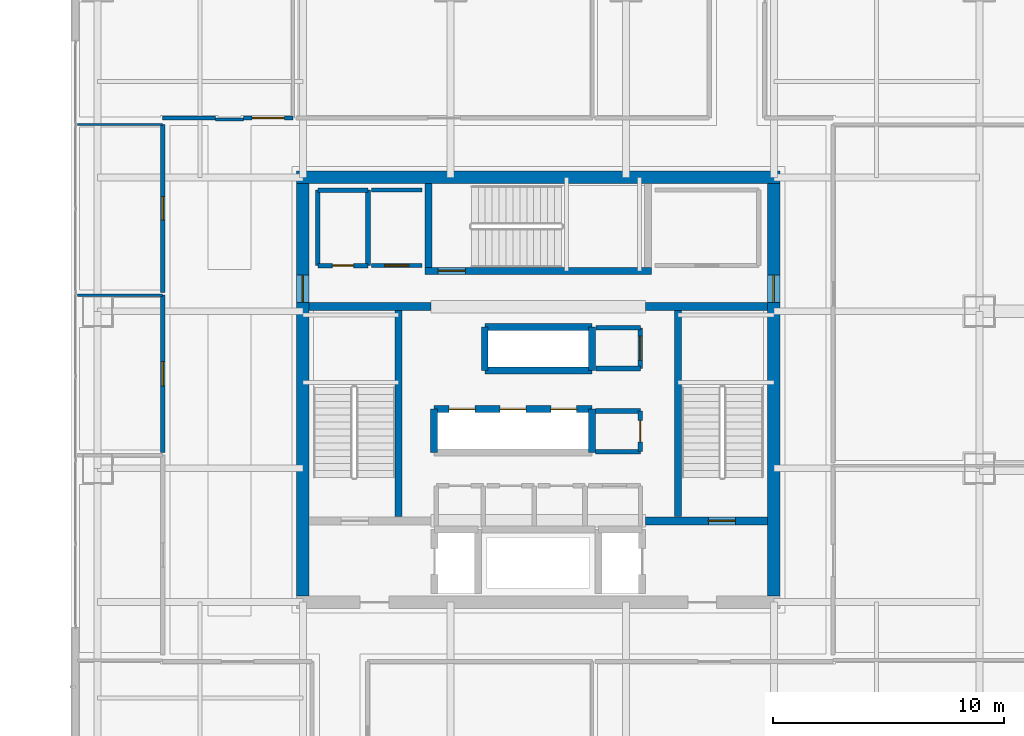
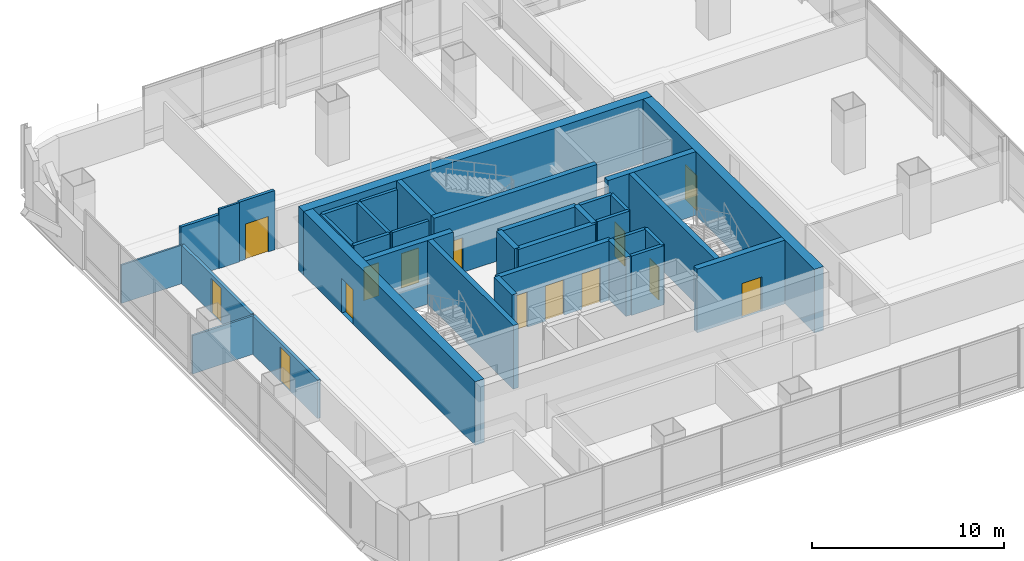
# One storey, part 37 of 51: 36 walls, 14 doors, 14 openings.
"""IFC4 building model written with IfcOpenShell, lengths in metres."""

from ifc_helpers import new_model, si_unit, direction, frame, frame_2d, origin, place, context, subcontext, project, spatial, rectangle, extrude, material, layer, layer_set, type_object, element, fill, save


model = new_model("IFC4")

# Units and contexts
model_context = context("Model", 3, precision=1e-05, world=origin(), true_north=direction((0.0, 1.0)))
body_context = subcontext(model_context, "Body", "Model", "MODEL_VIEW")
ifc_project = project(units=[si_unit("LENGTHUNIT", "METRE"), si_unit("AREAUNIT", "SQUARE_METRE"), si_unit("VOLUMEUNIT", "CUBIC_METRE"), si_unit("PLANEANGLEUNIT", "RADIAN"), si_unit("MASSUNIT", "GRAM", prefix="KILO")], contexts=[model_context])

# Site, building, storey
site_placement = place(None, origin())
site = spatial("IfcSite", under=ifc_project, at=site_placement, CompositionType="ELEMENT")
building_placement = place(site_placement, origin())
building = spatial("IfcBuilding", under=site, at=building_placement, Name="Punatoya Terracotta Tower", CompositionType="ELEMENT")
storey_placement = place(building_placement, frame((0.0, 0.0, 279.75)))
storey = spatial("IfcBuildingStorey", under=building, at=storey_placement, Name="L66", CompositionType="ELEMENT", Elevation=279.75)

# Wall, opening, door
ifc_material_1 = material(Name="Concrete C50/60", Category="concrete")
ifc_layer_1 = layer(ifc_material_1, 0.550048828125)
ifc_layer_set_1 = layer_set([ifc_layer_1], Name="Concrete C50/60")
wall_type_1 = type_object("IfcWallType", Name="WL-COR-550", PredefinedType="SHEAR", material=ifc_layer_set_1)
wall_1_placement = place(storey_placement, frame((-10.199951171875, -8.925048828125, 0.0), z_axis=(0.0, 0.0, 1.0), x_axis=(0.0, 1.0, 0.0)))
wall_1 = element("IfcWall", 1, at=wall_1_placement, inside=storey, type_object=wall_type_1, Name="L66 Core Shear Wall W", PredefinedType="SHEAR", context=body_context, shape_type="SweptSolid", body=[
    extrude(rectangle(XDim=17.85009765625, YDim=0.550048828125, at=frame_2d((8.925048828125, 0.0))), origin(), (0.0, 0.0, 1.0), 4.050048828125),
])
opening_1_placement = place(wall_1_placement, frame((12.715087890625, 0.0, 0.0)))
opening_1 = element("IfcOpeningElement", 2, at=opening_1_placement, cuts=wall_1, Name="Opening SD-01", PredefinedType="OPENING", context=body_context, shape_type="SweptSolid", body=[
    extrude(rectangle(XDim=1.179931640625, YDim=2.199951171875, at=frame_2d((0.58984375, 1.10009765625))), frame((0.0, 0.284912109375, 0.0), z_axis=(0.0, -1.0, 0.0), x_axis=(1.0, 0.0, 0.0)), (0.0, 0.0, 1.0), 0.570068359375),
])
ifc_material_2 = material(Name="Galvanised Steel Pressurized Stair Fire Door", Category="steel")
door_type_1 = type_object("IfcDoorType", Name="DR-STR-1180", OperationType="NOTDEFINED", PredefinedType="DOOR", material=ifc_material_2)
door_1_placement = place(opening_1_placement, origin())
door_1 = element("IfcDoor", 3, at=door_1_placement, inside=storey, type_object=door_type_1, Name="L66 Central Lift Lobby West Fire Door", OperationType="SINGLE_SWING_LEFT", OverallHeight=2.199951171875, OverallWidth=1.179931640625, PredefinedType="DOOR", context=body_context, shape_type="SweptSolid", body=[
    extrude(rectangle(XDim=1.179931640625, YDim=2.199951171875, at=frame_2d((0.58984375, 1.10009765625))), frame((0.0, 0.02490234375, 0.0), z_axis=(0.0, -1.0, 0.0), x_axis=(1.0, 0.0, 0.0)), (0.0, 0.0, 1.0), 0.050048828125),
])
fill(opening_1, door_1)

# Wall
wall_2_placement = place(storey_placement, frame((-10.47509765625, 9.199951171875, 0.0), z_axis=(0.0, 0.0, 1.0), x_axis=(1.0, 0.0, 0.0)))
element("IfcWall", 4, at=wall_2_placement, inside=storey, type_object=wall_type_1, Name="L66 Core Shear Wall N", PredefinedType="SHEAR", context=body_context, shape_type="SweptSolid", body=[
    extrude(rectangle(XDim=20.9501953125, YDim=0.550048828125, at=frame_2d((10.47509765625, 0.0))), origin(), (0.0, 0.0, 1.0), 4.050048828125),
])

# Wall, opening, door
wall_3_placement = place(storey_placement, frame((10.199951171875, 8.925048828125, 0.0), z_axis=(0.0, 0.0, 1.0), x_axis=(0.0, -1.0, 0.0)))
wall_3 = element("IfcWall", 5, at=wall_3_placement, inside=storey, type_object=wall_type_1, Name="L66 Core Shear Wall E", PredefinedType="SHEAR", context=body_context, shape_type="SweptSolid", body=[
    extrude(rectangle(XDim=17.85009765625, YDim=0.550048828125, at=frame_2d((8.925048828125, 0.0))), origin(), (0.0, 0.0, 1.0), 4.050048828125),
])
opening_2_placement = place(wall_3_placement, frame((3.955078125, 0.0, 0.0)))
opening_2 = element("IfcOpeningElement", 6, at=opening_2_placement, cuts=wall_3, Name="Opening SD-01", PredefinedType="OPENING", context=body_context, shape_type="SweptSolid", body=[
    extrude(rectangle(XDim=1.179931640625, YDim=2.199951171875, at=frame_2d((0.58984375, 1.10009765625))), frame((0.0, 0.284912109375, 0.0), z_axis=(0.0, -1.0, 0.0), x_axis=(1.0, 0.0, 0.0)), (0.0, 0.0, 1.0), 0.570068359375),
])
door_2_placement = place(opening_2_placement, origin())
door_2 = element("IfcDoor", 7, at=door_2_placement, inside=storey, type_object=door_type_1, Name="L66 Central Lift Lobby East Fire Door", OperationType="SINGLE_SWING_RIGHT", OverallHeight=2.199951171875, OverallWidth=1.179931640625, PredefinedType="DOOR", context=body_context, shape_type="SweptSolid", body=[
    extrude(rectangle(XDim=1.179931640625, YDim=2.199951171875, at=frame_2d((0.58984375, 1.10009765625))), frame((0.0, 0.02490234375, 0.0), z_axis=(0.0, -1.0, 0.0), x_axis=(1.0, 0.0, 0.0)), (0.0, 0.0, 1.0), 0.050048828125),
])
fill(opening_2, door_2)

# Wall
ifc_material_3 = material(Name="Gypsum Fireboard + Steel Stud", Category="steel")
ifc_layer_2 = layer(ifc_material_3, 0.179931640625)
ifc_layer_set_2 = layer_set([ifc_layer_2], Name="Gypsum Fireboard + Steel Stud")
wall_type_2 = type_object("IfcWallType", Name="WL-CORR-180", PredefinedType="PARTITIONING", material=ifc_layer_set_2)
wall_4_placement = place(storey_placement, frame((-5.050048828125, 8.64990234375, 0.0), z_axis=(0.0, 0.0, 1.0), x_axis=(-1.0, 0.0, 0.0)))
element("IfcWall", 8, at=wall_4_placement, inside=storey, type_object=wall_type_2, Name="L66 West Core Print Room Partition 20", PredefinedType="PARTITIONING", context=body_context, shape_type="SweptSolid", body=[
    extrude(rectangle(XDim=2.169921875, YDim=0.179931640625, at=frame_2d((1.0849609375, 0.0))), origin(), (0.0, 0.0, 1.0), 3.77001953125),
])

# Wall, opening, door
wall_5_placement = place(storey_placement, frame((-7.219970703125, 5.3798828125, 0.0), z_axis=(0.0, 0.0, 1.0), x_axis=(1.0, 0.0, 0.0)))
wall_5 = element("IfcWall", 9, at=wall_5_placement, inside=storey, type_object=wall_type_2, Name="L66 West Core Print Room Partition 21", PredefinedType="PARTITIONING", context=body_context, shape_type="SweptSolid", body=[
    extrude(rectangle(XDim=2.169921875, YDim=0.179931640625, at=frame_2d((1.0849609375, 0.0))), origin(), (0.0, 0.0, 1.0), 3.77001953125),
])
opening_3_placement = place(wall_5_placement, frame((0.56005859375, 0.0, 0.0)))
opening_3 = element("IfcOpeningElement", 10, at=opening_3_placement, cuts=wall_5, Name="Opening OD-01", PredefinedType="OPENING", context=body_context, shape_type="SweptSolid", body=[
    extrude(rectangle(XDim=1.050048828125, YDim=2.199951171875, at=frame_2d((0.52490234375, 1.10009765625))), frame((0.0, 0.099853515625, 0.0), z_axis=(0.0, -1.0, 0.0), x_axis=(1.0, 0.0, 0.0)), (0.0, 0.0, 1.0), 0.199951171875),
])
ifc_material_4 = material(Name="Bengal Teak Solid-Core Leaf")
door_type_2 = type_object("IfcDoorType", Name="DR-OFF-1050", OperationType="NOTDEFINED", PredefinedType="DOOR", material=ifc_material_4)
door_3_placement = place(opening_3_placement, origin())
door_3 = element("IfcDoor", 11, at=door_3_placement, inside=storey, type_object=door_type_2, Name="L66 West Print Room Door", OperationType="SINGLE_SWING_LEFT", OverallHeight=2.199951171875, OverallWidth=1.050048828125, PredefinedType="DOOR", context=body_context, shape_type="SweptSolid", body=[
    extrude(rectangle(XDim=1.050048828125, YDim=2.199951171875, at=frame_2d((0.52490234375, 1.10009765625))), frame((0.0, 0.02490234375, 0.0), z_axis=(0.0, -1.0, 0.0), x_axis=(1.0, 0.0, 0.0)), (0.0, 0.0, 1.0), 0.050048828125),
])
fill(opening_3, door_3)

wall_6_placement = place(storey_placement, frame((-16.27001953125, 4.097900390625, 0.0), z_axis=(0.0, 0.0, 1.0), x_axis=(0.0, -1.0, 0.0)))
wall_6 = element("IfcWall", 12, at=wall_6_placement, inside=storey, type_object=wall_type_2, Name="L66 Open-Plan Delegate Reception Lounge Partition 38", PredefinedType="PARTITIONING", context=body_context, shape_type="SweptSolid", body=[
    extrude(rectangle(XDim=6.809814453125, YDim=0.179931640625, at=frame_2d((3.40478515625, 0.0))), origin(), (0.0, 0.0, 1.0), 2.444091796875),
])
opening_4_placement = place(wall_6_placement, frame((2.8798828125, 0.0, 0.0)))
opening_4 = element("IfcOpeningElement", 13, at=opening_4_placement, cuts=wall_6, Name="Opening OD-01", PredefinedType="OPENING", context=body_context, shape_type="SweptSolid", body=[
    extrude(rectangle(XDim=1.050048828125, YDim=2.199951171875, at=frame_2d((0.52490234375, 1.10009765625))), frame((0.0, 0.099853515625, 0.0), z_axis=(0.0, -1.0, 0.0), x_axis=(1.0, 0.0, 0.0)), (0.0, 0.0, 1.0), 0.199951171875),
])
door_4_placement = place(opening_4_placement, origin())
door_4 = element("IfcDoor", 14, at=door_4_placement, inside=storey, type_object=door_type_2, Name="L66 Open-Plan Delegate Reception Lounge Door", OperationType="SINGLE_SWING_RIGHT", OverallHeight=2.199951171875, OverallWidth=1.050048828125, PredefinedType="DOOR", context=body_context, shape_type="SweptSolid", body=[
    extrude(rectangle(XDim=1.050048828125, YDim=2.199951171875, at=frame_2d((0.52490234375, 1.10009765625))), frame((0.0, 0.02490234375, 0.0), z_axis=(0.0, -1.0, 0.0), x_axis=(1.0, 0.0, 0.0)), (0.0, 0.0, 1.0), 0.050048828125),
])
fill(opening_4, door_4)

wall_7_placement = place(storey_placement, frame((-16.27001953125, 11.489990234375, 0.0), z_axis=(0.0, 0.0, 1.0), x_axis=(0.0, -1.0, 0.0)))
wall_7 = element("IfcWall", 15, at=wall_7_placement, inside=storey, type_object=wall_type_2, Name="L66 Case-Study Classroom Partition 42", PredefinedType="PARTITIONING", context=body_context, shape_type="SweptSolid", body=[
    extrude(rectangle(XDim=7.27197265625, YDim=0.179931640625, at=frame_2d((3.635986328125, 0.0))), origin(), (0.0, 0.0, 1.0), 2.444091796875),
])
opening_5_placement = place(wall_7_placement, frame((3.1259765625, 0.0, 0.0)))
opening_5 = element("IfcOpeningElement", 16, at=opening_5_placement, cuts=wall_7, Name="Opening MD-01", PredefinedType="OPENING", context=body_context, shape_type="SweptSolid", body=[
    extrude(rectangle(XDim=1.02001953125, YDim=2.199951171875, at=frame_2d((0.510009765625, 1.10009765625))), frame((0.0, 0.099853515625, 0.0), z_axis=(0.0, -1.0, 0.0), x_axis=(1.0, 0.0, 0.0)), (0.0, 0.0, 1.0), 0.199951171875),
])
ifc_material_5 = material(Name="Aluminium + Acoustic Glass Leaf", Category="aluminium")
door_type_3 = type_object("IfcDoorType", Name="DR-MTG-1020", OperationType="NOTDEFINED", PredefinedType="DOOR", material=ifc_material_5)
door_5_placement = place(opening_5_placement, origin())
door_5 = element("IfcDoor", 17, at=door_5_placement, inside=storey, type_object=door_type_3, Name="L66 Case-Study Classroom Door", OperationType="SINGLE_SWING_RIGHT", OverallHeight=2.199951171875, OverallWidth=1.02001953125, PredefinedType="DOOR", context=body_context, shape_type="SweptSolid", body=[
    extrude(rectangle(XDim=1.02001953125, YDim=2.199951171875, at=frame_2d((0.510009765625, 1.10009765625))), frame((0.0, 0.02490234375, 0.0), z_axis=(0.0, -1.0, 0.0), x_axis=(1.0, 0.0, 0.0)), (0.0, 0.0, 1.0), 0.050048828125),
])
fill(opening_5, door_5)

wall_8_placement = place(storey_placement, frame((-10.6240234375, 11.77001953125, 0.0), z_axis=(0.0, 0.0, 1.0), x_axis=(-1.0, 0.0, 0.0)))
wall_8 = element("IfcWall", 18, at=wall_8_placement, inside=storey, type_object=wall_type_2, Name="L66 Open-Plan Symposium Colloquium Room Partition 44", PredefinedType="PARTITIONING", context=body_context, shape_type="SweptSolid", body=[
    extrude(rectangle(XDim=2.14599609375, YDim=0.179931640625, at=frame_2d((1.072998046875, 0.0))), origin(), (0.0, 0.0, 1.0), 3.77001953125),
])
opening_6_placement = place(wall_8_placement, frame((0.373046875, 0.0, 0.0)))
opening_6 = element("IfcOpeningElement", 19, at=opening_6_placement, cuts=wall_8, Name="Opening BD-01", PredefinedType="OPENING", context=body_context, shape_type="SweptSolid", body=[
    extrude(rectangle(XDim=1.39990234375, YDim=2.25, at=frame_2d((0.699951171875, 1.125))), frame((0.0, 0.099853515625, 0.0), z_axis=(0.0, -1.0, 0.0), x_axis=(1.0, 0.0, 0.0)), (0.0, 0.0, 1.0), 0.199951171875),
])
ifc_material_6 = material(Name="Bengal Teak Acoustic Leaf")
door_type_4 = type_object("IfcDoorType", Name="DR-BRD-1400", OperationType="NOTDEFINED", PredefinedType="DOOR", material=ifc_material_6)
door_6_placement = place(opening_6_placement, origin())
door_6 = element("IfcDoor", 20, at=door_6_placement, inside=storey, type_object=door_type_4, Name="L66 Open-Plan Symposium Colloquium Room Door", OperationType="SINGLE_SWING_LEFT", OverallHeight=2.25, OverallWidth=1.39990234375, PredefinedType="DOOR", context=body_context, shape_type="SweptSolid", body=[
    extrude(rectangle(XDim=1.39990234375, YDim=2.25, at=frame_2d((0.699951171875, 1.125))), frame((0.0, 0.02490234375, 0.0), z_axis=(0.0, -1.0, 0.0), x_axis=(1.0, 0.0, 0.0)), (0.0, 0.0, 1.0), 0.050048828125),
])
fill(opening_6, door_6)

# Walls
wall_9_placement = place(storey_placement, frame((-13.97998046875, 11.77001953125, 0.0), z_axis=(0.0, 0.0, 1.0), x_axis=(-1.0, 0.0, 0.0)))
element("IfcWall", 21, at=wall_9_placement, inside=storey, type_object=wall_type_2, Name="L66 Open-Plan Symposium Colloquium Room Partition 46", PredefinedType="PARTITIONING", context=body_context, shape_type="SweptSolid", body=[
    extrude(rectangle(XDim=2.2900390625, YDim=0.179931640625, at=frame_2d((1.14501953125, 0.0))), origin(), (0.0, 0.0, 1.0), 3.404052734375),
])
ifc_material_7 = material(Name="Aluminium Framed Acoustic Glass Partition", Category="aluminium")
ifc_layer_3 = layer(ifc_material_7, 0.10009765625)
ifc_layer_set_3 = layer_set([ifc_layer_3], Name="Aluminium Framed Acoustic Glass Partition")
wall_type_3 = type_object("IfcWallType", Name="WL-GLZ-100", PredefinedType="PARTITIONING", material=ifc_layer_set_3)
wall_10_placement = place(storey_placement, frame((-19.969970703125, 11.489990234375, 0.0), z_axis=(0.0, 0.0, 1.0), x_axis=(1.0, 0.0, 0.0)))
element("IfcWall", 22, at=wall_10_placement, inside=storey, type_object=wall_type_3, Name="L66 Case-Study Classroom Partition 41", PredefinedType="PARTITIONING", context=body_context, shape_type="SweptSolid", body=[
    extrude(rectangle(XDim=3.699951171875, YDim=0.10009765625, at=frame_2d((1.85009765625, 0.0))), origin(), (0.0, 0.0, 1.0), 2.444091796875),
])

# Wall, opening, door
ifc_material_8 = material(Name="Concrete C40/50", Category="concrete")
ifc_layer_4 = layer(ifc_material_8, 0.199951171875)
ifc_layer_set_4 = layer_set([ifc_layer_4], Name="Concrete C40/50")
wall_type_4 = type_object("IfcWallType", Name="WL-INT-200", PredefinedType="SOLIDWALL", material=ifc_layer_set_4)
wall_11_placement = place(storey_placement, frame((4.419921875, -2.679931640625, 0.0), z_axis=(0.0, 0.0, 1.0), x_axis=(0.0, 1.0, 0.0)))
wall_11 = element("IfcWall", 23, at=wall_11_placement, inside=storey, type_object=wall_type_4, Name="L66 East Core Reprographics Store Partition 10", PredefinedType="SOLIDWALL", context=body_context, shape_type="SweptSolid", body=[
    extrude(rectangle(XDim=1.760009765625, YDim=0.199951171875, at=frame_2d((0.8798828125, 0.0))), origin(), (0.0, 0.0, 1.0), 3.77001953125),
])
opening_7_placement = place(wall_11_placement, frame((0.419921875, 0.0, 0.0)))
opening_7 = element("IfcOpeningElement", 24, at=opening_7_placement, cuts=wall_11, Name="Opening FD-R1", PredefinedType="OPENING", context=body_context, shape_type="SweptSolid", body=[
    extrude(rectangle(XDim=0.919921875, YDim=2.10009765625, at=frame_2d((0.4599609375, 1.050048828125))), frame((0.0, 0.10986328125, 0.0), z_axis=(0.0, -1.0, 0.0), x_axis=(1.0, 0.0, 0.0)), (0.0, 0.0, 1.0), 0.219970703125),
])
ifc_material_9 = material(Name="Galvanised Steel Riser Fire Access Door", Category="steel")
door_type_5 = type_object("IfcDoorType", Name="DR-RSR-920", OperationType="NOTDEFINED", PredefinedType="DOOR", material=ifc_material_9)
door_7_placement = place(opening_7_placement, origin())
door_7 = element("IfcDoor", 25, at=door_7_placement, inside=storey, type_object=door_type_5, Name="L66 East Core Reprographics Store Fire Door", OperationType="SINGLE_SWING_RIGHT", OverallHeight=2.10009765625, OverallWidth=0.919921875, PredefinedType="DOOR", context=body_context, shape_type="SweptSolid", body=[
    extrude(rectangle(XDim=0.919921875, YDim=2.10009765625, at=frame_2d((0.4599609375, 1.050048828125))), frame((0.0, 0.02490234375, 0.0), z_axis=(0.0, -1.0, 0.0), x_axis=(1.0, 0.0, 0.0)), (0.0, 0.0, 1.0), 0.050048828125),
])
fill(opening_7, door_7)

# Walls
for number, where, z_axis, x_axis, name in (
    (26, (4.419921875, -0.919921875, 0.0), (0.0, 0.0, 1.0), (-1.0, 0.0, 0.0), "L66 East Core Reprographics Store Partition 11"),
    (27, (2.47998046875, -2.679931640625, 0.0), (0.0, 0.0, 1.0), (1.0, 0.0, 0.0), "L66 East Core Reprographics Store Partition 12"),
):
    element("IfcWall", number, at=place(storey_placement, frame(where, z_axis=z_axis, x_axis=x_axis)), inside=storey, type_object=wall_type_4, Name=name, PredefinedType="SOLIDWALL", context=body_context, shape_type="SweptSolid", body=[
        extrude(rectangle(XDim=1.93994140625, YDim=0.199951171875, at=frame_2d((0.969970703125, 0.0))), origin(), (0.0, 0.0, 1.0), 3.77001953125),
    ])

# Wall, opening, door
wall_12_placement = place(storey_placement, frame((4.419921875, 0.919921875, 0.0), z_axis=(0.0, 0.0, 1.0), x_axis=(0.0, 1.0, 0.0)))
wall_12 = element("IfcWall", 28, at=wall_12_placement, inside=storey, type_object=wall_type_4, Name="L66 Executive Steward Pantry Partition 13", PredefinedType="SOLIDWALL", context=body_context, shape_type="SweptSolid", body=[
    extrude(rectangle(XDim=1.760009765625, YDim=0.199951171875, at=frame_2d((0.8798828125, 0.0))), origin(), (0.0, 0.0, 1.0), 3.77001953125),
])
opening_8_placement = place(wall_12_placement, frame((0.35498046875, 0.0, 0.0)))
opening_8 = element("IfcOpeningElement", 29, at=opening_8_placement, cuts=wall_12, Name="Opening OD-01", PredefinedType="OPENING", context=body_context, shape_type="SweptSolid", body=[
    extrude(rectangle(XDim=1.050048828125, YDim=2.199951171875, at=frame_2d((0.52490234375, 1.10009765625))), frame((0.0, 0.10986328125, 0.0), z_axis=(0.0, -1.0, 0.0), x_axis=(1.0, 0.0, 0.0)), (0.0, 0.0, 1.0), 0.219970703125),
])
door_8_placement = place(opening_8_placement, origin())
door_8 = element("IfcDoor", 30, at=door_8_placement, inside=storey, type_object=door_type_2, Name="L66 Executive Steward Pantry Door", OperationType="SINGLE_SWING_LEFT", OverallHeight=2.199951171875, OverallWidth=1.050048828125, PredefinedType="DOOR", context=body_context, shape_type="SweptSolid", body=[
    extrude(rectangle(XDim=1.050048828125, YDim=2.199951171875, at=frame_2d((0.52490234375, 1.10009765625))), frame((0.0, 0.02490234375, 0.0), z_axis=(0.0, -1.0, 0.0), x_axis=(1.0, 0.0, 0.0)), (0.0, 0.0, 1.0), 0.050048828125),
])
fill(opening_8, door_8)

# Walls
for number, where, z_axis, x_axis, name in (
    (31, (4.419921875, 2.679931640625, 0.0), (0.0, 0.0, 1.0), (-1.0, 0.0, 0.0), "L66 Executive Steward Pantry Partition 14"),
    (32, (2.5, 0.919921875, 0.0), (0.0, 0.0, 1.0), (1.0, 0.0, 0.0), "L66 Executive Steward Pantry Partition 15"),
):
    element("IfcWall", number, at=place(storey_placement, frame(where, z_axis=z_axis, x_axis=x_axis)), inside=storey, type_object=wall_type_4, Name=name, PredefinedType="SOLIDWALL", context=body_context, shape_type="SweptSolid", body=[
        extrude(rectangle(XDim=1.919921875, YDim=0.199951171875, at=frame_2d((0.9599609375, 0.0))), origin(), (0.0, 0.0, 1.0), 3.77001953125),
    ])
wall_13_placement = place(storey_placement, frame((-7.3798828125, 5.3798828125, 0.0), z_axis=(0.0, 0.0, 1.0), x_axis=(0.0, 1.0, 0.0)))
element("IfcWall", 33, at=wall_13_placement, inside=storey, type_object=wall_type_4, Name="L66 West Core Archive Vault Partition 16", PredefinedType="SOLIDWALL", context=body_context, shape_type="SweptSolid", body=[
    extrude(rectangle(XDim=3.27001953125, YDim=0.199951171875, at=frame_2d((1.635009765625, 0.0))), origin(), (0.0, 0.0, 1.0), 3.77001953125),
])
wall_14_placement = place(storey_placement, frame((-7.3798828125, 8.64990234375, 0.0), z_axis=(0.0, 0.0, 1.0), x_axis=(-1.0, 0.0, 0.0)))
element("IfcWall", 34, at=wall_14_placement, inside=storey, type_object=wall_type_4, Name="L66 West Core Archive Vault Partition 17", PredefinedType="SOLIDWALL", context=body_context, shape_type="SweptSolid", body=[
    extrude(rectangle(XDim=2.170166015625, YDim=0.199951171875, at=frame_2d((1.0849609375, 0.0))), origin(), (0.0, 0.0, 1.0), 3.77001953125),
])
wall_15_placement = place(storey_placement, frame((-9.550048828125, 8.64990234375, 0.0), z_axis=(0.0, 0.0, 1.0), x_axis=(0.0, -1.0, 0.0)))
element("IfcWall", 35, at=wall_15_placement, inside=storey, type_object=wall_type_4, Name="L66 West Core Archive Vault Partition 18", PredefinedType="SOLIDWALL", context=body_context, shape_type="SweptSolid", body=[
    extrude(rectangle(XDim=3.27001953125, YDim=0.199951171875, at=frame_2d((1.635009765625, 0.0))), origin(), (0.0, 0.0, 1.0), 3.77001953125),
])

# Wall, opening, door
wall_16_placement = place(storey_placement, frame((-9.550048828125, 5.3798828125, 0.0), z_axis=(0.0, 0.0, 1.0), x_axis=(1.0, 0.0, 0.0)))
wall_16 = element("IfcWall", 36, at=wall_16_placement, inside=storey, type_object=wall_type_4, Name="L66 West Core Archive Vault Partition 19", PredefinedType="SOLIDWALL", context=body_context, shape_type="SweptSolid", body=[
    extrude(rectangle(XDim=2.170166015625, YDim=0.199951171875, at=frame_2d((1.0849609375, 0.0))), origin(), (0.0, 0.0, 1.0), 3.77001953125),
])
opening_9_placement = place(wall_16_placement, frame((0.625, 0.0, 0.0)))
opening_9 = element("IfcOpeningElement", 37, at=opening_9_placement, cuts=wall_16, Name="Opening FD-R1", PredefinedType="OPENING", context=body_context, shape_type="SweptSolid", body=[
    extrude(rectangle(XDim=0.919921875, YDim=2.10009765625, at=frame_2d((0.4599609375, 1.050048828125))), frame((0.0, 0.10986328125, 0.0), z_axis=(0.0, -1.0, 0.0), x_axis=(1.0, 0.0, 0.0)), (0.0, 0.0, 1.0), 0.219970703125),
])
door_9_placement = place(opening_9_placement, origin())
door_9 = element("IfcDoor", 38, at=door_9_placement, inside=storey, type_object=door_type_5, Name="L66 West Core Archive Vault Fire Door", OperationType="SINGLE_SWING_RIGHT", OverallHeight=2.10009765625, OverallWidth=0.919921875, PredefinedType="DOOR", context=body_context, shape_type="SweptSolid", body=[
    extrude(rectangle(XDim=0.919921875, YDim=2.10009765625, at=frame_2d((0.4599609375, 1.050048828125))), frame((0.0, 0.02490234375, 0.0), z_axis=(0.0, -1.0, 0.0), x_axis=(1.0, 0.0, 0.0)), (0.0, 0.0, 1.0), 0.050048828125),
])
fill(opening_9, door_9)

# Walls
ifc_material_10 = material(Name="Gypsum Partition + Steel Stud", Category="steel")
ifc_layer_5 = layer(ifc_material_10, 0.1201171875)
ifc_layer_set_5 = layer_set([ifc_layer_5], Name="Gypsum Partition + Steel Stud")
wall_type_5 = type_object("IfcWallType", Name="WL-OFF-120", PredefinedType="PARTITIONING", material=ifc_layer_set_5)
wall_17_placement = place(storey_placement, frame((-19.969970703125, 4.097900390625, 0.0), z_axis=(0.0, 0.0, 1.0), x_axis=(1.0, 0.0, 0.0)))
element("IfcWall", 39, at=wall_17_placement, inside=storey, type_object=wall_type_5, Name="L66 Open-Plan Delegate Reception Lounge Partition 37", PredefinedType="PARTITIONING", context=body_context, shape_type="SweptSolid", body=[
    extrude(rectangle(XDim=3.699951171875, YDim=0.1201171875, at=frame_2d((1.85009765625, 0.0))), origin(), (0.0, 0.0, 1.0), 2.444091796875),
])
wall_18_placement = place(storey_placement, frame((-12.77001953125, 11.7099609375, 0.0), z_axis=(0.0, 0.0, 1.0), x_axis=(-1.0, 0.0, 0.0)))
element("IfcWall", 40, at=wall_18_placement, inside=storey, type_object=wall_type_5, Name="L66 Open-Plan Symposium Colloquium Room Partition 45", PredefinedType="PARTITIONING", context=body_context, shape_type="SweptSolid", body=[
    extrude(rectangle(XDim=1.2099609375, YDim=0.1201171875, at=frame_2d((0.60498046875, 0.0))), origin(), (0.0, 0.0, 1.0), 3.77001953125),
])
ifc_layer_6 = layer(ifc_material_8, 0.300048828125)
ifc_layer_set_6 = layer_set([ifc_layer_6], Name="Concrete C40/50")
wall_type_6 = type_object("IfcWallType", Name="WL-SHF-300", PredefinedType="SOLIDWALL", material=ifc_layer_set_6)
for number, where, z_axis, x_axis, name in (
    (41, (-6.050048828125, -5.5, 0.0), (0.0, 0.0, 1.0), (0.0, 1.0, 0.0), "L66 Structural Stair Shaft Wall SW-ST1-E"),
    (42, (6.050048828125, 3.449951171875, 0.0), (0.0, 0.0, 1.0), (0.0, -1.0, 0.0), "L66 Structural Stair Shaft Wall SW-ST2-W"),
):
    element("IfcWall", number, at=place(storey_placement, frame(where, z_axis=z_axis, x_axis=x_axis)), inside=storey, type_object=wall_type_6, Name=name, PredefinedType="SOLIDWALL", context=body_context, shape_type="SweptSolid", body=[
        extrude(rectangle(XDim=8.949951171875, YDim=0.300048828125, at=frame_2d((4.47509765625, 0.0))), origin(), (0.0, 0.0, 1.0), 4.050048828125),
    ])
wall_19_placement = place(storey_placement, frame((-4.75, 5.300048828125, 0.0), z_axis=(0.0, 0.0, 1.0), x_axis=(0.0, 1.0, 0.0)))
element("IfcWall", 43, at=wall_19_placement, inside=storey, type_object=wall_type_6, Name="L66 Structural Stair Shaft Wall SW-ST3-W", PredefinedType="SOLIDWALL", context=body_context, shape_type="SweptSolid", body=[
    extrude(rectangle(XDim=3.625, YDim=0.300048828125, at=frame_2d((1.8125, 0.0))), origin(), (0.0, 0.0, 1.0), 4.050048828125),
])

# Wall, opening, door
wall_20_placement = place(storey_placement, frame((-4.89990234375, 5.14990234375, 0.0), z_axis=(0.0, 0.0, 1.0), x_axis=(1.0, 0.0, 0.0)))
wall_20 = element("IfcWall", 44, at=wall_20_placement, inside=storey, type_object=wall_type_6, Name="L66 Structural Stair Shaft Wall SW-ST3-S", PredefinedType="SOLIDWALL", context=body_context, shape_type="SweptSolid", body=[
    extrude(rectangle(XDim=9.7998046875, YDim=0.300048828125, at=frame_2d((4.89990234375, 0.0))), origin(), (0.0, 0.0, 1.0), 4.050048828125),
])
opening_10_placement = place(wall_20_placement, frame((0.56005859375, 0.0, 0.0)))
opening_10 = element("IfcOpeningElement", 45, at=opening_10_placement, cuts=wall_20, Name="Opening SD-01", PredefinedType="OPENING", context=body_context, shape_type="SweptSolid", body=[
    extrude(rectangle(XDim=1.179931640625, YDim=2.199951171875, at=frame_2d((0.58984375, 1.10009765625))), frame((0.0, 0.159912109375, 0.0), z_axis=(0.0, -1.0, 0.0), x_axis=(1.0, 0.0, 0.0)), (0.0, 0.0, 1.0), 0.320068359375),
])
door_10_placement = place(opening_10_placement, origin())
door_10 = element("IfcDoor", 46, at=door_10_placement, inside=storey, type_object=door_type_1, Name="L66 Stair ST-3 Core Lobby Fire Door", OperationType="SINGLE_SWING_LEFT", OverallHeight=2.199951171875, OverallWidth=1.179931640625, PredefinedType="DOOR", context=body_context, shape_type="SweptSolid", body=[
    extrude(rectangle(XDim=1.179931640625, YDim=2.199951171875, at=frame_2d((0.58984375, 1.10009765625))), frame((0.0, 0.02490234375, 0.0), z_axis=(0.0, -1.0, 0.0), x_axis=(1.0, 0.0, 0.0)), (0.0, 0.0, 1.0), 0.050048828125),
])
fill(opening_10, door_10)

# Wall, openings, doors
wall_21_placement = place(storey_placement, frame((-4.52001953125, -0.840087890625, 0.0), z_axis=(0.0, 0.0, 1.0), x_axis=(1.0, 0.0, 0.0)))
wall_21 = element("IfcWall", 47, at=wall_21_placement, inside=storey, type_object=wall_type_6, Name="L66 South Lift Bank Front Shaft Wall", PredefinedType="SOLIDWALL", context=body_context, shape_type="SweptSolid", body=[
    extrude(rectangle(XDim=6.840087890625, YDim=0.300048828125, at=frame_2d((3.419921875, 0.0))), origin(), (0.0, 0.0, 1.0), 3.77001953125),
])
opening_11_placement = place(wall_21_placement, frame((0.659912109375, 0.0, 0.0)))
opening_11 = element("IfcOpeningElement", 48, at=opening_11_placement, cuts=wall_21, Name="Opening LD-02", PredefinedType="OPENING", context=body_context, shape_type="SweptSolid", body=[
    extrude(rectangle(XDim=1.1201171875, YDim=2.25, at=frame_2d((0.56005859375, 1.125))), frame((0.0, 0.159912109375, 0.0), z_axis=(0.0, -1.0, 0.0), x_axis=(1.0, 0.0, 0.0)), (0.0, 0.0, 1.0), 0.320068359375),
])
opening_12_placement = place(wall_21_placement, frame((2.860107421875, 0.0, 0.0)))
opening_12 = element("IfcOpeningElement", 49, at=opening_12_placement, cuts=wall_21, Name="Opening LD-02", PredefinedType="OPENING", context=body_context, shape_type="SweptSolid", body=[
    extrude(rectangle(XDim=1.1201171875, YDim=2.25, at=frame_2d((0.56005859375, 1.125))), frame((0.0, 0.159912109375, 0.0), z_axis=(0.0, -1.0, 0.0), x_axis=(1.0, 0.0, 0.0)), (0.0, 0.0, 1.0), 0.320068359375),
])
opening_13_placement = place(wall_21_placement, frame((5.06005859375, 0.0, 0.0)))
opening_13 = element("IfcOpeningElement", 50, at=opening_13_placement, cuts=wall_21, Name="Opening LD-02", PredefinedType="OPENING", context=body_context, shape_type="SweptSolid", body=[
    extrude(rectangle(XDim=1.1201171875, YDim=2.25, at=frame_2d((0.56005859375, 1.125))), frame((0.0, 0.159912109375, 0.0), z_axis=(0.0, -1.0, 0.0), x_axis=(1.0, 0.0, 0.0)), (0.0, 0.0, 1.0), 0.320068359375),
])
ifc_material_11 = material(Name="Stainless Steel Lift Landing Door", Category="steel")
door_type_6 = type_object("IfcDoorType", Name="DR-LND-1120", OperationType="NOTDEFINED", PredefinedType="DOOR", material=ifc_material_11)
door_11_placement = place(opening_11_placement, origin())
door_11 = element("IfcDoor", 51, at=door_11_placement, inside=storey, type_object=door_type_6, Name="L66 Lift PL-H1 Sliding Landing Door", OperationType="DOUBLE_DOOR_SLIDING", OverallHeight=2.25, OverallWidth=1.1201171875, PredefinedType="DOOR", context=body_context, shape_type="SweptSolid", body=[
    extrude(rectangle(XDim=1.1201171875, YDim=2.25, at=frame_2d((0.56005859375, 1.125))), frame((0.0, 0.02490234375, 0.0), z_axis=(0.0, -1.0, 0.0), x_axis=(1.0, 0.0, 0.0)), (0.0, 0.0, 1.0), 0.050048828125),
])
fill(opening_11, door_11)
door_12_placement = place(opening_12_placement, origin())
door_12 = element("IfcDoor", 52, at=door_12_placement, inside=storey, type_object=door_type_6, Name="L66 Lift PL-H2 Sliding Landing Door", OperationType="DOUBLE_DOOR_SLIDING", OverallHeight=2.25, OverallWidth=1.1201171875, PredefinedType="DOOR", context=body_context, shape_type="SweptSolid", body=[
    extrude(rectangle(XDim=1.1201171875, YDim=2.25, at=frame_2d((0.56005859375, 1.125))), frame((0.0, 0.02490234375, 0.0), z_axis=(0.0, -1.0, 0.0), x_axis=(1.0, 0.0, 0.0)), (0.0, 0.0, 1.0), 0.050048828125),
])
fill(opening_12, door_12)
door_13_placement = place(opening_13_placement, origin())
door_13 = element("IfcDoor", 53, at=door_13_placement, inside=storey, type_object=door_type_6, Name="L66 Lift PL-H3 Sliding Landing Door", OperationType="DOUBLE_DOOR_SLIDING", OverallHeight=2.25, OverallWidth=1.1201171875, PredefinedType="DOOR", context=body_context, shape_type="SweptSolid", body=[
    extrude(rectangle(XDim=1.1201171875, YDim=2.25, at=frame_2d((0.56005859375, 1.125))), frame((0.0, 0.02490234375, 0.0), z_axis=(0.0, -1.0, 0.0), x_axis=(1.0, 0.0, 0.0)), (0.0, 0.0, 1.0), 0.050048828125),
])
fill(opening_13, door_13)

# Walls
for number, where, z_axis, x_axis, name in (
    (54, (-4.52001953125, -2.719970703125, 0.0), (0.0, 0.0, 1.0), (0.0, 1.0, 0.0), "L66 South Lift Bank West End Wall"),
    (55, (2.320068359375, -2.719970703125, 0.0), (0.0, 0.0, 1.0), (0.0, 1.0, 0.0), "L66 South Lift Bank East End Wall"),
):
    element("IfcWall", number, at=place(storey_placement, frame(where, z_axis=z_axis, x_axis=x_axis)), inside=storey, type_object=wall_type_6, Name=name, PredefinedType="SOLIDWALL", context=body_context, shape_type="SweptSolid", body=[
        extrude(rectangle(XDim=1.8798828125, YDim=0.300048828125, at=frame_2d((0.93994140625, 0.0))), origin(), (0.0, 0.0, 1.0), 3.77001953125),
    ])
for number, where, z_axis, x_axis, name in (
    (56, (-2.320068359375, 0.840087890625, 0.0), (0.0, 0.0, 1.0), (1.0, 0.0, 0.0), "L66 North Lift Bank Front Shaft Wall"),
    (57, (-2.320068359375, 2.719970703125, 0.0), (0.0, 0.0, 1.0), (1.0, 0.0, 0.0), "L66 North Lift Bank Rear Shaft Wall"),
):
    element("IfcWall", number, at=place(storey_placement, frame(where, z_axis=z_axis, x_axis=x_axis)), inside=storey, type_object=wall_type_6, Name=name, PredefinedType="SOLIDWALL", context=body_context, shape_type="SweptSolid", body=[
        extrude(rectangle(XDim=4.64013671875, YDim=0.300048828125, at=frame_2d((2.320068359375, 0.0))), origin(), (0.0, 0.0, 1.0), 3.77001953125),
    ])
for number, where, z_axis, x_axis, name in (
    (58, (-2.320068359375, 0.840087890625, 0.0), (0.0, 0.0, 1.0), (0.0, 1.0, 0.0), "L66 North Lift Bank West End Wall"),
    (59, (2.320068359375, 0.840087890625, 0.0), (0.0, 0.0, 1.0), (0.0, 1.0, 0.0), "L66 North Lift Bank East End Wall"),
):
    element("IfcWall", number, at=place(storey_placement, frame(where, z_axis=z_axis, x_axis=x_axis)), inside=storey, type_object=wall_type_6, Name=name, PredefinedType="SOLIDWALL", context=body_context, shape_type="SweptSolid", body=[
        extrude(rectangle(XDim=1.8798828125, YDim=0.300048828125, at=frame_2d((0.93994140625, 0.0))), origin(), (0.0, 0.0, 1.0), 3.77001953125),
    ])

# Wall, opening, door
ifc_layer_7 = layer(ifc_material_1, 0.35009765625)
ifc_layer_set_7 = layer_set([ifc_layer_7], Name="Concrete C50/60")
wall_type_7 = type_object("IfcWallType", Name="WL-SHF-350", PredefinedType="SOLIDWALL", material=ifc_layer_set_7)
wall_22_placement = place(storey_placement, frame((4.64990234375, -5.679931640625, 0.0), z_axis=(0.0, 0.0, 1.0), x_axis=(1.0, 0.0, 0.0)))
wall_22 = element("IfcWall", 60, at=wall_22_placement, inside=storey, type_object=wall_type_7, Name="L66 Core Web Wall CSW-R", PredefinedType="SOLIDWALL", context=body_context, shape_type="SweptSolid", body=[
    extrude(rectangle(XDim=5.275146484375, YDim=0.35009765625, at=frame_2d((2.6376953125, 0.0))), origin(), (0.0, 0.0, 1.0), 4.050048828125),
])
opening_14_placement = place(wall_22_placement, frame((2.7099609375, 0.0, 0.0)))
opening_14 = element("IfcOpeningElement", 61, at=opening_14_placement, cuts=wall_22, Name="Opening SD-01", PredefinedType="OPENING", context=body_context, shape_type="SweptSolid", body=[
    extrude(rectangle(XDim=1.179931640625, YDim=2.199951171875, at=frame_2d((0.58984375, 1.10009765625))), frame((0.0, 0.18505859375, 0.0), z_axis=(0.0, -1.0, 0.0), x_axis=(1.0, 0.0, 0.0)), (0.0, 0.0, 1.0), 0.3701171875),
])
door_14_placement = place(opening_14_placement, origin())
door_14 = element("IfcDoor", 62, at=door_14_placement, inside=storey, type_object=door_type_1, Name="L66 Stair ST-2 Smokeproof Lobby Fire Door", OperationType="SINGLE_SWING_RIGHT", OverallHeight=2.199951171875, OverallWidth=1.179931640625, PredefinedType="DOOR", context=body_context, shape_type="SweptSolid", body=[
    extrude(rectangle(XDim=1.179931640625, YDim=2.199951171875, at=frame_2d((0.58984375, 1.10009765625))), frame((0.0, 0.02490234375, 0.0), z_axis=(0.0, -1.0, 0.0), x_axis=(1.0, 0.0, 0.0)), (0.0, 0.0, 1.0), 0.050048828125),
])
fill(opening_14, door_14)

# Walls
for number, where, z_axis, x_axis, name in (
    (63, (-9.925048828125, 3.60009765625, 0.0), (0.0, 0.0, 1.0), (1.0, 0.0, 0.0), "L66 Core Web Wall CNW-L"),
    (64, (4.64990234375, 3.60009765625, 0.0), (0.0, 0.0, 1.0), (1.0, 0.0, 0.0), "L66 Core Web Wall CNW-R"),
):
    element("IfcWall", number, at=place(storey_placement, frame(where, z_axis=z_axis, x_axis=x_axis)), inside=storey, type_object=wall_type_7, Name=name, PredefinedType="SOLIDWALL", context=body_context, shape_type="SweptSolid", body=[
        extrude(rectangle(XDim=5.275146484375, YDim=0.35009765625, at=frame_2d((2.6376953125, 0.0))), origin(), (0.0, 0.0, 1.0), 4.050048828125),
    ])

save(model, "model.ifc")
